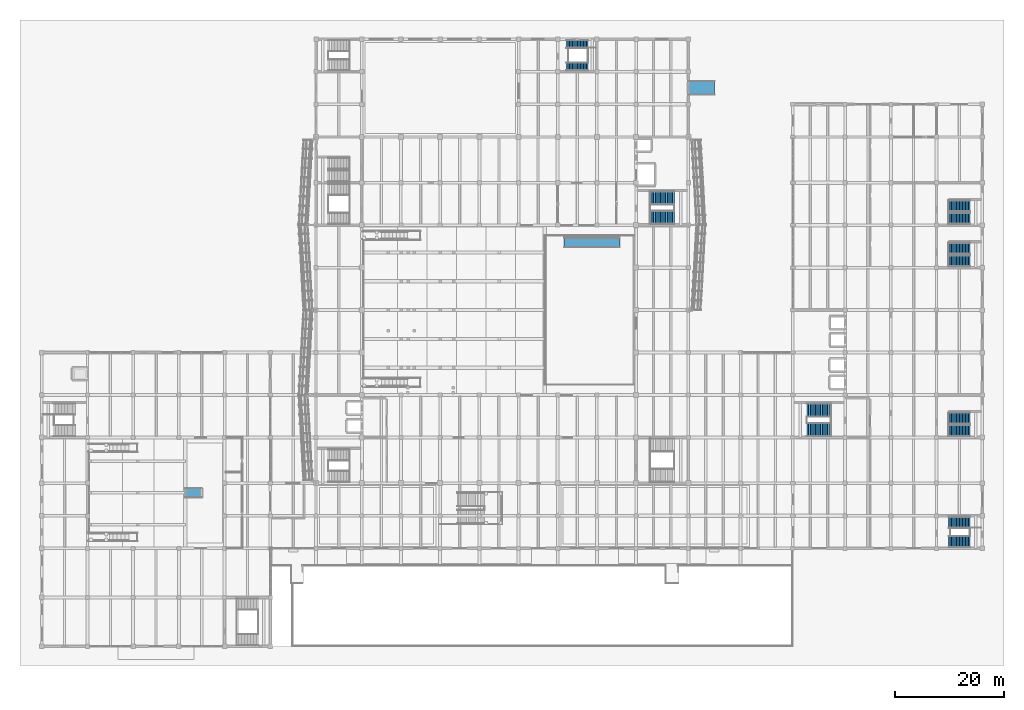
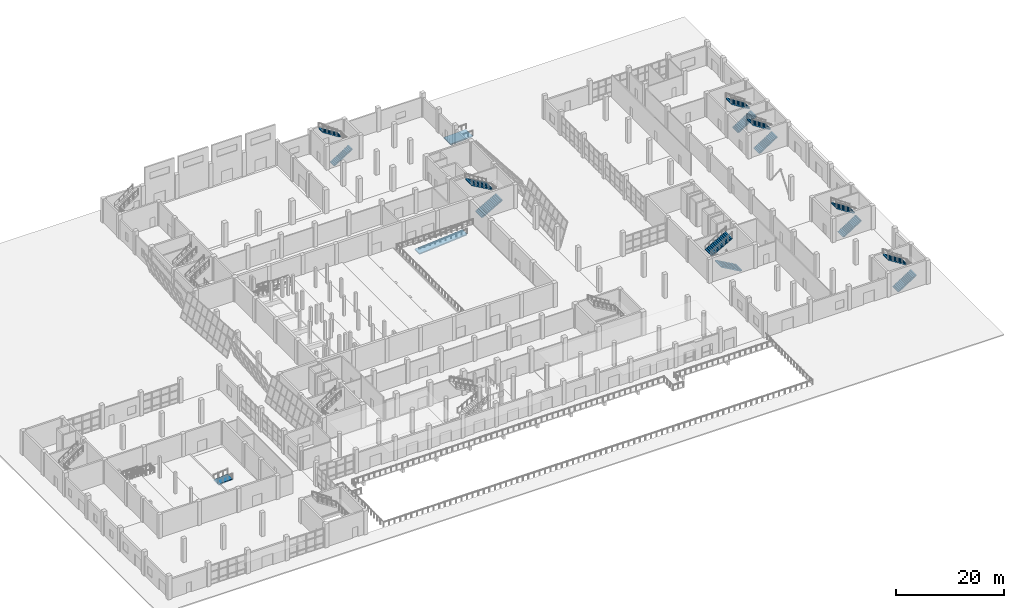
# One storey, part 70 of 78: 14 stair flights, 3 ramp flights, 10 elements without a shape of their own.
"""IFC4 building model written with IfcOpenShell, lengths in metres."""

from ifc_helpers import new_model, si_unit, direction, frame, origin, place, context, subcontext, project, spatial, polyline, outline, extrude, material, layer, layer_set, type_object, element, aggregate, save


model = new_model("IFC4")

# Units and contexts
model_context = context("Model", 3, precision=1e-05, world=origin(), true_north=direction((0.0, 1.0)))
body_context = subcontext(model_context, "Body", "Model", "MODEL_VIEW")
ifc_project = project(units=[si_unit("LENGTHUNIT", "METRE"), si_unit("AREAUNIT", "SQUARE_METRE"), si_unit("VOLUMEUNIT", "CUBIC_METRE"), si_unit("PLANEANGLEUNIT", "RADIAN"), si_unit("MASSUNIT", "GRAM", prefix="KILO")], contexts=[model_context])

# Site, building, storey
site_placement = place(None, origin())
site = spatial("IfcSite", under=ifc_project, at=site_placement, CompositionType="ELEMENT")
building_placement = place(site_placement, origin())
building = spatial("IfcBuilding", under=site, at=building_placement, Name="Pellamere Symphony Hall", CompositionType="ELEMENT")
storey_placement = place(building_placement, origin())
storey = spatial("IfcBuildingStorey", under=building, at=storey_placement, Name="L00", CompositionType="ELEMENT", Elevation=0.0)

# Stair, stair flights
ifc_material = material(Name="Concrete 40 MPa", Category="concrete")
stair_type_1 = type_object("IfcStairType", Name="Stair ST-A W2400", PredefinedType="HALF_TURN_STAIR", material=ifc_material)
stair_1_placement = place(storey_placement, origin())
stair_1 = element("IfcStair", 1, at=stair_1_placement, inside=storey, type_object=stair_type_1, Name="Exit Stair ST02-L00 (L00 to L01)", PredefinedType="HALF_TURN_STAIR")
stair_flight_type_1 = type_object("IfcStairFlightType", Name="Stair Flight SF-A W2400", PredefinedType="STRAIGHT", material=ifc_material)
stair_flight_1_placement = place(storey_placement, frame((145.02490234375, 39.760009765625, 0.0), z_axis=(0.0, 0.0, 1.0), x_axis=(-1.0, 0.0, 0.0)))
stair_flight_1 = element("IfcStairFlight", 2, at=stair_flight_1_placement, type_object=stair_flight_type_1, Name="Stair ST02-L00 Lower Flight (L00)", NumberOfRisers=15, NumberOfTreads=14, PredefinedType="STRAIGHT", RiserHeight=0.18, TreadLength=0.31786, context=body_context, shape_type="SweptSolid", body=[
    extrude(outline(polyline([(0.0, 0.0), (0.0, 0.179931640625), (0.31787109375, 0.179931640625), (0.31787109375, 0.360107421875), (0.6357421875, 0.360107421875), (0.6357421875, 0.5400390625), (0.95361328125, 0.5400390625), (0.95361328125, 0.719970703125), (1.271484375, 0.719970703125), (1.271484375, 0.89990234375), (1.58935546875, 0.89990234375), (1.58935546875, 1.080078125), (1.9072265625, 1.080078125), (1.9072265625, 1.260009765625), (2.22509765625, 1.260009765625), (2.22509765625, 1.43994140625), (2.54296875, 1.43994140625), (2.54296875, 1.6201171875), (2.86083984375, 1.6201171875), (2.86083984375, 1.800048828125), (3.1787109375, 1.800048828125), (3.1787109375, 1.97998046875), (3.49658203125, 1.97998046875), (3.49658203125, 2.159912109375), (3.814208984375, 2.159912109375), (3.814208984375, 2.340087890625), (4.132080078125, 2.340087890625), (4.132080078125, 2.52001953125), (4.449951171875, 2.52001953125), (4.449951171875, 2.699951171875), (4.449951171875, 2.290283203125), (0.40576171875, 0.0), (0.0, 0.0)])), frame((0.0, 1.199951171875, 0.0), z_axis=(0.0, -1.0, 0.0), x_axis=(1.0, 0.0, 0.0)), (0.0, 0.0, 1.0), 2.39990234375),
])
stair_flight_2_placement = place(storey_placement, frame((140.574951171875, 43.43994140625, 2.699951171875), z_axis=(0.0, 0.0, 1.0), x_axis=(1.0, 0.0, 0.0)))
stair_flight_2 = element("IfcStairFlight", 3, at=stair_flight_2_placement, type_object=stair_flight_type_1, Name="Stair ST02-L00 Upper Flight (L00)", NumberOfRisers=15, NumberOfTreads=14, PredefinedType="STRAIGHT", RiserHeight=0.18, TreadLength=0.31786, context=body_context, shape_type="SweptSolid", body=[
    extrude(outline(polyline([(0.0, 0.0), (0.0, 0.179931640625), (0.31787109375, 0.179931640625), (0.31787109375, 0.360107421875), (0.6357421875, 0.360107421875), (0.6357421875, 0.5400390625), (0.95361328125, 0.5400390625), (0.95361328125, 0.719970703125), (1.271484375, 0.719970703125), (1.271484375, 0.89990234375), (1.58935546875, 0.89990234375), (1.58935546875, 1.080078125), (1.9072265625, 1.080078125), (1.9072265625, 1.260009765625), (2.22509765625, 1.260009765625), (2.22509765625, 1.43994140625), (2.54296875, 1.43994140625), (2.54296875, 1.6201171875), (2.86083984375, 1.6201171875), (2.86083984375, 1.800048828125), (3.1787109375, 1.800048828125), (3.1787109375, 1.97998046875), (3.49658203125, 1.97998046875), (3.49658203125, 2.159912109375), (3.814208984375, 2.159912109375), (3.814208984375, 2.340087890625), (4.132080078125, 2.340087890625), (4.132080078125, 2.52001953125), (4.449951171875, 2.52001953125), (4.449951171875, 2.699951171875), (4.449951171875, 2.290283203125), (0.40576171875, 0.0), (0.0, 0.0)])), frame((0.0, 1.199951171875, 0.0), z_axis=(0.0, -1.0, 0.0), x_axis=(1.0, 0.0, 0.0)), (0.0, 0.0, 1.0), 2.39990234375),
])
aggregate(stair_1, [stair_flight_1, stair_flight_2])

stair_2_placement = place(storey_placement, origin())
stair_2 = element("IfcStair", 4, at=stair_2_placement, inside=storey, type_object=stair_type_1, Name="Exit Stair ST04-L00 (L00 to L01)", PredefinedType="HALF_TURN_STAIR")
stair_flight_3_placement = place(storey_placement, frame((111.77490234375, 78.760009765625, 0.0), z_axis=(0.0, 0.0, 1.0), x_axis=(1.0, 0.0, 0.0)))
stair_flight_3 = element("IfcStairFlight", 5, at=stair_flight_3_placement, type_object=stair_flight_type_1, Name="Stair ST04-L00 Lower Flight (L00)", NumberOfRisers=15, NumberOfTreads=14, PredefinedType="STRAIGHT", RiserHeight=0.18, TreadLength=0.31786, context=body_context, shape_type="SweptSolid", body=[
    extrude(outline(polyline([(0.0, 0.0), (0.0, 0.179931640625), (0.31787109375, 0.179931640625), (0.31787109375, 0.360107421875), (0.6357421875, 0.360107421875), (0.6357421875, 0.5400390625), (0.95361328125, 0.5400390625), (0.95361328125, 0.719970703125), (1.271484375, 0.719970703125), (1.271484375, 0.89990234375), (1.58935546875, 0.89990234375), (1.58935546875, 1.080078125), (1.9072265625, 1.080078125), (1.9072265625, 1.260009765625), (2.22509765625, 1.260009765625), (2.22509765625, 1.43994140625), (2.54296875, 1.43994140625), (2.54296875, 1.6201171875), (2.86083984375, 1.6201171875), (2.86083984375, 1.800048828125), (3.1787109375, 1.800048828125), (3.1787109375, 1.97998046875), (3.49658203125, 1.97998046875), (3.49658203125, 2.159912109375), (3.814208984375, 2.159912109375), (3.814208984375, 2.340087890625), (4.132080078125, 2.340087890625), (4.132080078125, 2.52001953125), (4.449951171875, 2.52001953125), (4.449951171875, 2.699951171875), (4.449951171875, 2.290283203125), (0.40576171875, 0.0), (0.0, 0.0)])), frame((0.0, 1.199951171875, 0.0), z_axis=(0.0, -1.0, 0.0), x_axis=(1.0, 0.0, 0.0)), (0.0, 0.0, 1.0), 2.39990234375),
])
stair_flight_4_placement = place(storey_placement, frame((116.22509765625, 82.43994140625, 2.699951171875), z_axis=(0.0, 0.0, 1.0), x_axis=(-1.0, 0.0, 0.0)))
stair_flight_4 = element("IfcStairFlight", 6, at=stair_flight_4_placement, type_object=stair_flight_type_1, Name="Stair ST04-L00 Upper Flight (L00)", NumberOfRisers=15, NumberOfTreads=14, PredefinedType="STRAIGHT", RiserHeight=0.18, TreadLength=0.31786, context=body_context, shape_type="SweptSolid", body=[
    extrude(outline(polyline([(0.0, 0.0), (0.0, 0.179931640625), (0.31787109375, 0.179931640625), (0.31787109375, 0.360107421875), (0.6357421875, 0.360107421875), (0.6357421875, 0.5400390625), (0.95361328125, 0.5400390625), (0.95361328125, 0.719970703125), (1.271484375, 0.719970703125), (1.271484375, 0.89990234375), (1.58935546875, 0.89990234375), (1.58935546875, 1.080078125), (1.9072265625, 1.080078125), (1.9072265625, 1.260009765625), (2.22509765625, 1.260009765625), (2.22509765625, 1.43994140625), (2.54296875, 1.43994140625), (2.54296875, 1.6201171875), (2.86083984375, 1.6201171875), (2.86083984375, 1.800048828125), (3.1787109375, 1.800048828125), (3.1787109375, 1.97998046875), (3.49658203125, 1.97998046875), (3.49658203125, 2.159912109375), (3.814208984375, 2.159912109375), (3.814208984375, 2.340087890625), (4.132080078125, 2.340087890625), (4.132080078125, 2.52001953125), (4.449951171875, 2.52001953125), (4.449951171875, 2.699951171875), (4.449951171875, 2.290283203125), (0.40576171875, 0.0), (0.0, 0.0)])), frame((0.0, 1.199951171875, 0.0), z_axis=(0.0, -1.0, 0.0), x_axis=(1.0, 0.0, 0.0)), (0.0, 0.0, 1.0), 2.39990234375),
])
aggregate(stair_2, [stair_flight_3, stair_flight_4])

stair_type_2 = type_object("IfcStairType", Name="Stair ST-B W2050", PredefinedType="HALF_TURN_STAIR", material=ifc_material)
stair_3_placement = place(storey_placement, origin())
stair_3 = element("IfcStair", 7, at=stair_3_placement, inside=storey, type_object=stair_type_2, Name="Exit Stair ST05-L00 (L00 to L01)", PredefinedType="HALF_TURN_STAIR")
stair_flight_type_2 = type_object("IfcStairFlightType", Name="Stair Flight SF-B W2050", PredefinedType="STRAIGHT", material=ifc_material)
stair_flight_5_placement = place(storey_placement, frame((166.625, 70.784912109375, 0.0), z_axis=(0.0, 0.0, 1.0), x_axis=(1.0, 0.0, 0.0)))
stair_flight_5 = element("IfcStairFlight", 8, at=stair_flight_5_placement, type_object=stair_flight_type_2, Name="Stair ST05-L00 Lower Flight (L00)", NumberOfRisers=15, NumberOfTreads=14, PredefinedType="STRAIGHT", RiserHeight=0.18, TreadLength=0.28214, context=body_context, shape_type="SweptSolid", body=[
    extrude(outline(polyline([(0.0, 0.0), (0.0, 0.179931640625), (0.2822265625, 0.179931640625), (0.2822265625, 0.360107421875), (0.564208984375, 0.360107421875), (0.564208984375, 0.5400390625), (0.846435546875, 0.5400390625), (0.846435546875, 0.719970703125), (1.128662109375, 0.719970703125), (1.128662109375, 0.89990234375), (1.41064453125, 0.89990234375), (1.41064453125, 1.080078125), (1.69287109375, 1.080078125), (1.69287109375, 1.260009765625), (1.97509765625, 1.260009765625), (1.97509765625, 1.43994140625), (2.257080078125, 1.43994140625), (2.257080078125, 1.6201171875), (2.539306640625, 1.6201171875), (2.539306640625, 1.800048828125), (2.8212890625, 1.800048828125), (2.8212890625, 1.97998046875), (3.103515625, 1.97998046875), (3.103515625, 2.159912109375), (3.3857421875, 2.159912109375), (3.3857421875, 2.340087890625), (3.667724609375, 2.340087890625), (3.667724609375, 2.52001953125), (3.949951171875, 2.52001953125), (3.949951171875, 2.699951171875), (3.949951171875, 2.28271484375), (0.371826171875, 0.0), (0.0, 0.0)])), frame((0.0, 1.02490234375, 0.0), z_axis=(0.0, -1.0, 0.0), x_axis=(1.0, 0.0, 0.0)), (0.0, 0.0, 1.0), 2.050048828125),
])
stair_flight_6_placement = place(storey_placement, frame((170.574951171875, 73.175048828125, 2.699951171875), z_axis=(0.0, 0.0, 1.0), x_axis=(-1.0, 0.0, 0.0)))
stair_flight_6 = element("IfcStairFlight", 9, at=stair_flight_6_placement, type_object=stair_flight_type_2, Name="Stair ST05-L00 Upper Flight (L00)", NumberOfRisers=15, NumberOfTreads=14, PredefinedType="STRAIGHT", RiserHeight=0.18, TreadLength=0.28214, context=body_context, shape_type="SweptSolid", body=[
    extrude(outline(polyline([(0.0, 0.0), (0.0, 0.179931640625), (0.2822265625, 0.179931640625), (0.2822265625, 0.360107421875), (0.564208984375, 0.360107421875), (0.564208984375, 0.5400390625), (0.846435546875, 0.5400390625), (0.846435546875, 0.719970703125), (1.128662109375, 0.719970703125), (1.128662109375, 0.89990234375), (1.41064453125, 0.89990234375), (1.41064453125, 1.080078125), (1.69287109375, 1.080078125), (1.69287109375, 1.260009765625), (1.97509765625, 1.260009765625), (1.97509765625, 1.43994140625), (2.257080078125, 1.43994140625), (2.257080078125, 1.6201171875), (2.539306640625, 1.6201171875), (2.539306640625, 1.800048828125), (2.8212890625, 1.800048828125), (2.8212890625, 1.97998046875), (3.103515625, 1.97998046875), (3.103515625, 2.159912109375), (3.3857421875, 2.159912109375), (3.3857421875, 2.340087890625), (3.667724609375, 2.340087890625), (3.667724609375, 2.52001953125), (3.949951171875, 2.52001953125), (3.949951171875, 2.699951171875), (3.949951171875, 2.28271484375), (0.371826171875, 0.0), (0.0, 0.0)])), frame((0.0, 1.02490234375, 0.0), z_axis=(0.0, -1.0, 0.0), x_axis=(1.0, 0.0, 0.0)), (0.0, 0.0, 1.0), 2.050048828125),
])
aggregate(stair_3, [stair_flight_5, stair_flight_6])

stair_4_placement = place(storey_placement, origin())
stair_4 = element("IfcStair", 10, at=stair_4_placement, inside=storey, type_object=stair_type_2, Name="Exit Stair ST06-L00 (L00 to L01)", PredefinedType="HALF_TURN_STAIR")
stair_flight_7_placement = place(storey_placement, frame((166.625, 39.5849609375, 0.0), z_axis=(0.0, 0.0, 1.0), x_axis=(1.0, 0.0, 0.0)))
stair_flight_7 = element("IfcStairFlight", 11, at=stair_flight_7_placement, type_object=stair_flight_type_2, Name="Stair ST06-L00 Lower Flight (L00)", NumberOfRisers=15, NumberOfTreads=14, PredefinedType="STRAIGHT", RiserHeight=0.18, TreadLength=0.28214, context=body_context, shape_type="SweptSolid", body=[
    extrude(outline(polyline([(0.0, 0.0), (0.0, 0.179931640625), (0.2822265625, 0.179931640625), (0.2822265625, 0.360107421875), (0.564208984375, 0.360107421875), (0.564208984375, 0.5400390625), (0.846435546875, 0.5400390625), (0.846435546875, 0.719970703125), (1.128662109375, 0.719970703125), (1.128662109375, 0.89990234375), (1.41064453125, 0.89990234375), (1.41064453125, 1.080078125), (1.69287109375, 1.080078125), (1.69287109375, 1.260009765625), (1.97509765625, 1.260009765625), (1.97509765625, 1.43994140625), (2.257080078125, 1.43994140625), (2.257080078125, 1.6201171875), (2.539306640625, 1.6201171875), (2.539306640625, 1.800048828125), (2.8212890625, 1.800048828125), (2.8212890625, 1.97998046875), (3.103515625, 1.97998046875), (3.103515625, 2.159912109375), (3.3857421875, 2.159912109375), (3.3857421875, 2.340087890625), (3.667724609375, 2.340087890625), (3.667724609375, 2.52001953125), (3.949951171875, 2.52001953125), (3.949951171875, 2.699951171875), (3.949951171875, 2.28271484375), (0.371826171875, 0.0), (0.0, 0.0)])), frame((0.0, 1.02490234375, 0.0), z_axis=(0.0, -1.0, 0.0), x_axis=(1.0, 0.0, 0.0)), (0.0, 0.0, 1.0), 2.050048828125),
])
stair_flight_8_placement = place(storey_placement, frame((170.574951171875, 41.97509765625, 2.699951171875), z_axis=(0.0, 0.0, 1.0), x_axis=(-1.0, 0.0, 0.0)))
stair_flight_8 = element("IfcStairFlight", 12, at=stair_flight_8_placement, type_object=stair_flight_type_2, Name="Stair ST06-L00 Upper Flight (L00)", NumberOfRisers=15, NumberOfTreads=14, PredefinedType="STRAIGHT", RiserHeight=0.18, TreadLength=0.28214, context=body_context, shape_type="SweptSolid", body=[
    extrude(outline(polyline([(0.0, 0.0), (0.0, 0.179931640625), (0.2822265625, 0.179931640625), (0.2822265625, 0.360107421875), (0.564208984375, 0.360107421875), (0.564208984375, 0.5400390625), (0.846435546875, 0.5400390625), (0.846435546875, 0.719970703125), (1.128662109375, 0.719970703125), (1.128662109375, 0.89990234375), (1.41064453125, 0.89990234375), (1.41064453125, 1.080078125), (1.69287109375, 1.080078125), (1.69287109375, 1.260009765625), (1.97509765625, 1.260009765625), (1.97509765625, 1.43994140625), (2.257080078125, 1.43994140625), (2.257080078125, 1.6201171875), (2.539306640625, 1.6201171875), (2.539306640625, 1.800048828125), (2.8212890625, 1.800048828125), (2.8212890625, 1.97998046875), (3.103515625, 1.97998046875), (3.103515625, 2.159912109375), (3.3857421875, 2.159912109375), (3.3857421875, 2.340087890625), (3.667724609375, 2.340087890625), (3.667724609375, 2.52001953125), (3.949951171875, 2.52001953125), (3.949951171875, 2.699951171875), (3.949951171875, 2.28271484375), (0.371826171875, 0.0), (0.0, 0.0)])), frame((0.0, 1.02490234375, 0.0), z_axis=(0.0, -1.0, 0.0), x_axis=(1.0, 0.0, 0.0)), (0.0, 0.0, 1.0), 2.050048828125),
])
aggregate(stair_4, [stair_flight_7, stair_flight_8])

stair_5_placement = place(storey_placement, origin())
stair_5 = element("IfcStair", 13, at=stair_5_placement, inside=storey, type_object=stair_type_2, Name="Exit Stair ST12-L00 (L00 to L01)", PredefinedType="HALF_TURN_STAIR")
stair_flight_9_placement = place(storey_placement, frame((166.625, 19.18505859375, 0.0), z_axis=(0.0, 0.0, 1.0), x_axis=(1.0, 0.0, 0.0)))
stair_flight_9 = element("IfcStairFlight", 14, at=stair_flight_9_placement, type_object=stair_flight_type_2, Name="Stair ST12-L00 Lower Flight (L00)", NumberOfRisers=15, NumberOfTreads=14, PredefinedType="STRAIGHT", RiserHeight=0.18, TreadLength=0.28214, context=body_context, shape_type="SweptSolid", body=[
    extrude(outline(polyline([(0.0, 0.0), (0.0, 0.179931640625), (0.2822265625, 0.179931640625), (0.2822265625, 0.360107421875), (0.564208984375, 0.360107421875), (0.564208984375, 0.5400390625), (0.846435546875, 0.5400390625), (0.846435546875, 0.719970703125), (1.128662109375, 0.719970703125), (1.128662109375, 0.89990234375), (1.41064453125, 0.89990234375), (1.41064453125, 1.080078125), (1.69287109375, 1.080078125), (1.69287109375, 1.260009765625), (1.97509765625, 1.260009765625), (1.97509765625, 1.43994140625), (2.257080078125, 1.43994140625), (2.257080078125, 1.6201171875), (2.539306640625, 1.6201171875), (2.539306640625, 1.800048828125), (2.8212890625, 1.800048828125), (2.8212890625, 1.97998046875), (3.103515625, 1.97998046875), (3.103515625, 2.159912109375), (3.3857421875, 2.159912109375), (3.3857421875, 2.340087890625), (3.667724609375, 2.340087890625), (3.667724609375, 2.52001953125), (3.949951171875, 2.52001953125), (3.949951171875, 2.699951171875), (3.949951171875, 2.28271484375), (0.371826171875, 0.0), (0.0, 0.0)])), frame((0.0, 1.02490234375, 0.0), z_axis=(0.0, -1.0, 0.0), x_axis=(1.0, 0.0, 0.0)), (0.0, 0.0, 1.0), 2.050048828125),
])
stair_flight_10_placement = place(storey_placement, frame((170.574951171875, 22.81494140625, 2.699951171875), z_axis=(0.0, 0.0, 1.0), x_axis=(-1.0, 0.0, 0.0)))
stair_flight_10 = element("IfcStairFlight", 15, at=stair_flight_10_placement, type_object=stair_flight_type_2, Name="Stair ST12-L00 Upper Flight (L00)", NumberOfRisers=15, NumberOfTreads=14, PredefinedType="STRAIGHT", RiserHeight=0.18, TreadLength=0.28214, context=body_context, shape_type="SweptSolid", body=[
    extrude(outline(polyline([(0.0, 0.0), (0.0, 0.179931640625), (0.2822265625, 0.179931640625), (0.2822265625, 0.360107421875), (0.564208984375, 0.360107421875), (0.564208984375, 0.5400390625), (0.846435546875, 0.5400390625), (0.846435546875, 0.719970703125), (1.128662109375, 0.719970703125), (1.128662109375, 0.89990234375), (1.41064453125, 0.89990234375), (1.41064453125, 1.080078125), (1.69287109375, 1.080078125), (1.69287109375, 1.260009765625), (1.97509765625, 1.260009765625), (1.97509765625, 1.43994140625), (2.257080078125, 1.43994140625), (2.257080078125, 1.6201171875), (2.539306640625, 1.6201171875), (2.539306640625, 1.800048828125), (2.8212890625, 1.800048828125), (2.8212890625, 1.97998046875), (3.103515625, 1.97998046875), (3.103515625, 2.159912109375), (3.3857421875, 2.159912109375), (3.3857421875, 2.340087890625), (3.667724609375, 2.340087890625), (3.667724609375, 2.52001953125), (3.949951171875, 2.52001953125), (3.949951171875, 2.699951171875), (3.949951171875, 2.28271484375), (0.371826171875, 0.0), (0.0, 0.0)])), frame((0.0, 1.02490234375, 0.0), z_axis=(0.0, -1.0, 0.0), x_axis=(1.0, 0.0, 0.0)), (0.0, 0.0, 1.0), 2.050048828125),
])
aggregate(stair_5, [stair_flight_9, stair_flight_10])

stair_6_placement = place(storey_placement, origin())
stair_6 = element("IfcStair", 16, at=stair_6_placement, inside=storey, type_object=stair_type_2, Name="Exit Stair ST14-L00 (L00 to L01)", PredefinedType="HALF_TURN_STAIR")
stair_flight_11_placement = place(storey_placement, frame((166.625, 78.5849609375, 0.0), z_axis=(0.0, 0.0, 1.0), x_axis=(1.0, 0.0, 0.0)))
stair_flight_11 = element("IfcStairFlight", 17, at=stair_flight_11_placement, type_object=stair_flight_type_2, Name="Stair ST14-L00 Lower Flight (L00)", NumberOfRisers=15, NumberOfTreads=14, PredefinedType="STRAIGHT", RiserHeight=0.18, TreadLength=0.28214, context=body_context, shape_type="SweptSolid", body=[
    extrude(outline(polyline([(0.0, 0.0), (0.0, 0.179931640625), (0.2822265625, 0.179931640625), (0.2822265625, 0.360107421875), (0.564208984375, 0.360107421875), (0.564208984375, 0.5400390625), (0.846435546875, 0.5400390625), (0.846435546875, 0.719970703125), (1.128662109375, 0.719970703125), (1.128662109375, 0.89990234375), (1.41064453125, 0.89990234375), (1.41064453125, 1.080078125), (1.69287109375, 1.080078125), (1.69287109375, 1.260009765625), (1.97509765625, 1.260009765625), (1.97509765625, 1.43994140625), (2.257080078125, 1.43994140625), (2.257080078125, 1.6201171875), (2.539306640625, 1.6201171875), (2.539306640625, 1.800048828125), (2.8212890625, 1.800048828125), (2.8212890625, 1.97998046875), (3.103515625, 1.97998046875), (3.103515625, 2.159912109375), (3.3857421875, 2.159912109375), (3.3857421875, 2.340087890625), (3.667724609375, 2.340087890625), (3.667724609375, 2.52001953125), (3.949951171875, 2.52001953125), (3.949951171875, 2.699951171875), (3.949951171875, 2.28271484375), (0.371826171875, 0.0), (0.0, 0.0)])), frame((0.0, 1.02490234375, 0.0), z_axis=(0.0, -1.0, 0.0), x_axis=(1.0, 0.0, 0.0)), (0.0, 0.0, 1.0), 2.050048828125),
])
stair_flight_12_placement = place(storey_placement, frame((170.574951171875, 80.97509765625, 2.699951171875), z_axis=(0.0, 0.0, 1.0), x_axis=(-1.0, 0.0, 0.0)))
stair_flight_12 = element("IfcStairFlight", 18, at=stair_flight_12_placement, type_object=stair_flight_type_2, Name="Stair ST14-L00 Upper Flight (L00)", NumberOfRisers=15, NumberOfTreads=14, PredefinedType="STRAIGHT", RiserHeight=0.18, TreadLength=0.28214, context=body_context, shape_type="SweptSolid", body=[
    extrude(outline(polyline([(0.0, 0.0), (0.0, 0.179931640625), (0.2822265625, 0.179931640625), (0.2822265625, 0.360107421875), (0.564208984375, 0.360107421875), (0.564208984375, 0.5400390625), (0.846435546875, 0.5400390625), (0.846435546875, 0.719970703125), (1.128662109375, 0.719970703125), (1.128662109375, 0.89990234375), (1.41064453125, 0.89990234375), (1.41064453125, 1.080078125), (1.69287109375, 1.080078125), (1.69287109375, 1.260009765625), (1.97509765625, 1.260009765625), (1.97509765625, 1.43994140625), (2.257080078125, 1.43994140625), (2.257080078125, 1.6201171875), (2.539306640625, 1.6201171875), (2.539306640625, 1.800048828125), (2.8212890625, 1.800048828125), (2.8212890625, 1.97998046875), (3.103515625, 1.97998046875), (3.103515625, 2.159912109375), (3.3857421875, 2.159912109375), (3.3857421875, 2.340087890625), (3.667724609375, 2.340087890625), (3.667724609375, 2.52001953125), (3.949951171875, 2.52001953125), (3.949951171875, 2.699951171875), (3.949951171875, 2.28271484375), (0.371826171875, 0.0), (0.0, 0.0)])), frame((0.0, 1.02490234375, 0.0), z_axis=(0.0, -1.0, 0.0), x_axis=(1.0, 0.0, 0.0)), (0.0, 0.0, 1.0), 2.050048828125),
])
aggregate(stair_6, [stair_flight_11, stair_flight_12])

stair_type_3 = type_object("IfcStairType", Name="Stair ST-C W1450", PredefinedType="HALF_TURN_STAIR", material=ifc_material)
stair_7_placement = place(storey_placement, origin())
stair_7 = element("IfcStair", 19, at=stair_7_placement, inside=storey, type_object=stair_type_3, Name="Exit Stair ST11-L00 (L00 to L01)", PredefinedType="HALF_TURN_STAIR")
stair_flight_type_3 = type_object("IfcStairFlightType", Name="Stair Flight SF-C W1450", PredefinedType="STRAIGHT", material=ifc_material)
stair_flight_13_placement = place(storey_placement, frame((96.425048828125, 106.485107421875, 0.0), z_axis=(0.0, 0.0, 1.0), x_axis=(1.0, 0.0, 0.0)))
stair_flight_13 = element("IfcStairFlight", 20, at=stair_flight_13_placement, type_object=stair_flight_type_3, Name="Stair ST11-L00 Lower Flight (L00)", NumberOfRisers=15, NumberOfTreads=14, PredefinedType="STRAIGHT", RiserHeight=0.18, TreadLength=0.28214, context=body_context, shape_type="SweptSolid", body=[
    extrude(outline(polyline([(0.0, 0.0), (0.0, 0.179931640625), (0.2822265625, 0.179931640625), (0.2822265625, 0.360107421875), (0.564208984375, 0.360107421875), (0.564208984375, 0.5400390625), (0.846435546875, 0.5400390625), (0.846435546875, 0.719970703125), (1.128662109375, 0.719970703125), (1.128662109375, 0.89990234375), (1.41064453125, 0.89990234375), (1.41064453125, 1.080078125), (1.69287109375, 1.080078125), (1.69287109375, 1.260009765625), (1.97509765625, 1.260009765625), (1.97509765625, 1.43994140625), (2.257080078125, 1.43994140625), (2.257080078125, 1.6201171875), (2.539306640625, 1.6201171875), (2.539306640625, 1.800048828125), (2.8212890625, 1.800048828125), (2.8212890625, 1.97998046875), (3.103515625, 1.97998046875), (3.103515625, 2.159912109375), (3.3857421875, 2.159912109375), (3.3857421875, 2.340087890625), (3.667724609375, 2.340087890625), (3.667724609375, 2.52001953125), (3.949951171875, 2.52001953125), (3.949951171875, 2.699951171875), (3.949951171875, 2.28271484375), (0.371826171875, 0.0), (0.0, 0.0)])), frame((0.0, 0.72509765625, 0.0), z_axis=(0.0, -1.0, 0.0), x_axis=(1.0, 0.0, 0.0)), (0.0, 0.0, 1.0), 1.449951171875),
])
stair_flight_14_placement = place(storey_placement, frame((100.375, 110.715087890625, 2.699951171875), z_axis=(0.0, 0.0, 1.0), x_axis=(-1.0, 0.0, 0.0)))
stair_flight_14 = element("IfcStairFlight", 21, at=stair_flight_14_placement, type_object=stair_flight_type_3, Name="Stair ST11-L00 Upper Flight (L00)", NumberOfRisers=15, NumberOfTreads=14, PredefinedType="STRAIGHT", RiserHeight=0.18, TreadLength=0.28214, context=body_context, shape_type="SweptSolid", body=[
    extrude(outline(polyline([(0.0, 0.0), (0.0, 0.179931640625), (0.2822265625, 0.179931640625), (0.2822265625, 0.360107421875), (0.564208984375, 0.360107421875), (0.564208984375, 0.5400390625), (0.846435546875, 0.5400390625), (0.846435546875, 0.719970703125), (1.128662109375, 0.719970703125), (1.128662109375, 0.89990234375), (1.41064453125, 0.89990234375), (1.41064453125, 1.080078125), (1.69287109375, 1.080078125), (1.69287109375, 1.260009765625), (1.97509765625, 1.260009765625), (1.97509765625, 1.43994140625), (2.257080078125, 1.43994140625), (2.257080078125, 1.6201171875), (2.539306640625, 1.6201171875), (2.539306640625, 1.800048828125), (2.8212890625, 1.800048828125), (2.8212890625, 1.97998046875), (3.103515625, 1.97998046875), (3.103515625, 2.159912109375), (3.3857421875, 2.159912109375), (3.3857421875, 2.340087890625), (3.667724609375, 2.340087890625), (3.667724609375, 2.52001953125), (3.949951171875, 2.52001953125), (3.949951171875, 2.699951171875), (3.949951171875, 2.28271484375), (0.371826171875, 0.0), (0.0, 0.0)])), frame((0.0, 0.72509765625, 0.0), z_axis=(0.0, -1.0, 0.0), x_axis=(1.0, 0.0, 0.0)), (0.0, 0.0, 1.0), 1.449951171875),
])
aggregate(stair_7, [stair_flight_13, stair_flight_14])

# Ramp, ramp flight
ifc_layer_1 = layer(ifc_material, 0.25, Name="Concrete 40 MPa")
ifc_layer_set_1 = layer_set([ifc_layer_1], Name="Concrete 40 MPa")
ramp_type_1 = type_object("IfcRampType", Name="Ramp RM-02 W1800", PredefinedType="STRAIGHT_RUN_RAMP", material=ifc_layer_set_1)
ramp_1_placement = place(storey_placement, origin())
ramp_1 = element("IfcRamp", 22, at=ramp_1_placement, inside=storey, type_object=ramp_type_1, Name="Accessible Orchestra Stage Ramp", PredefinedType="STRAIGHT_RUN_RAMP")
ifc_layer_2 = layer(ifc_material, 0.25, Name="Concrete 40 MPa")
ifc_layer_set_2 = layer_set([ifc_layer_2], Name="Concrete 40 MPa")
ramp_flight_type_1 = type_object("IfcRampFlightType", Name="Ramp Flight RF-02 W1800", PredefinedType="STRAIGHT", material=ifc_layer_set_2)
ramp_flight_1_placement = place(storey_placement, frame((96.0, 73.300048828125, 0.0), z_axis=(-0.083055349962, 0.0, 0.996544935687), x_axis=(0.996544935687, 0.0, 0.083055349962)))
ramp_flight_1 = element("IfcRampFlight", 23, at=ramp_flight_1_placement, type_object=ramp_flight_type_1, Name="Accessible Orchestra Stage Ramp Flight", PredefinedType="STRAIGHT", context=body_context, shape_type="SweptSolid", body=[
    extrude(outline(polyline([(0.0, 0.0), (10.235314842924762, 0.0), (10.235314842924762, 1.8000488281249998), (0.0, 1.8000488281249998), (0.0, 0.0)])), origin(), (0.0, 0.0, -1.0), 0.25),
])
aggregate(ramp_1, [ramp_flight_1])

ramp_2_placement = place(storey_placement, origin())
ramp_2 = element("IfcRamp", 24, at=ramp_2_placement, inside=storey, type_object=ramp_type_1, Name="Chamber Hall Front Row Accessible Ramp", PredefinedType="STRAIGHT_RUN_RAMP")
ramp_flight_2_placement = place(storey_placement, frame((26.39990234375, 27.300048828125, 0.0), z_axis=(-0.083045479854, 0.0, 0.996545758245), x_axis=(0.996545758245, 0.0, 0.083045479854)))
ramp_flight_2 = element("IfcRampFlight", 25, at=ramp_flight_2_placement, type_object=ramp_flight_type_1, Name="Chamber Hall Front Row Accessible Ramp Flight", PredefinedType="STRAIGHT", context=body_context, shape_type="SweptSolid", body=[
    extrude(outline(polyline([(0.0, 0.0), (3.010398644698074, 0.0), (3.010398644698074, 1.800048828125), (0.0, 1.800048828125), (0.0, 0.0)])), origin(), (0.0, 0.0, -1.0), 0.25),
])
aggregate(ramp_2, [ramp_flight_2])

ifc_layer_3 = layer(ifc_material, 0.25, Name="Concrete 40 MPa")
ifc_layer_set_3 = layer_set([ifc_layer_3], Name="Concrete 40 MPa")
ramp_type_2 = type_object("IfcRampType", Name="Ramp RM-03 W2550", PredefinedType="STRAIGHT_RUN_RAMP", material=ifc_layer_set_3)
ramp_3_placement = place(storey_placement, origin())
ramp_3 = element("IfcRamp", 26, at=ramp_3_placement, inside=storey, type_object=ramp_type_2, Name="Acoustic Stage Equipment Access Ramp", PredefinedType="STRAIGHT_RUN_RAMP")
ifc_layer_4 = layer(ifc_material, 0.25, Name="Concrete 40 MPa")
ifc_layer_set_4 = layer_set([ifc_layer_4], Name="Concrete 40 MPa")
ramp_flight_type_2 = type_object("IfcRampFlightType", Name="Ramp Flight RF-03 W2550", PredefinedType="STRAIGHT", material=ifc_layer_set_4)
ramp_flight_3_placement = place(storey_placement, frame((118.800048828125, 101.324951171875, -0.199951171875), z_axis=(-0.041619975966, 0.0, 0.999133513401), x_axis=(0.999133513401, 0.0, 0.041619975966)))
ramp_flight_3 = element("IfcRampFlight", 27, at=ramp_flight_3_placement, type_object=ramp_flight_type_2, Name="Acoustic Stage Equipment Access Ramp Flight", PredefinedType="STRAIGHT", context=body_context, shape_type="SweptSolid", body=[
    extrude(outline(polyline([(0.0, 0.0), (4.804211613107646, 0.0), (4.804211613107646, 2.550048828125), (0.0, 2.550048828125), (0.0, 0.0)])), origin(), (0.0, 0.0, -1.0), 0.25),
])
aggregate(ramp_3, [ramp_flight_3])

save(model, "model.ifc")
